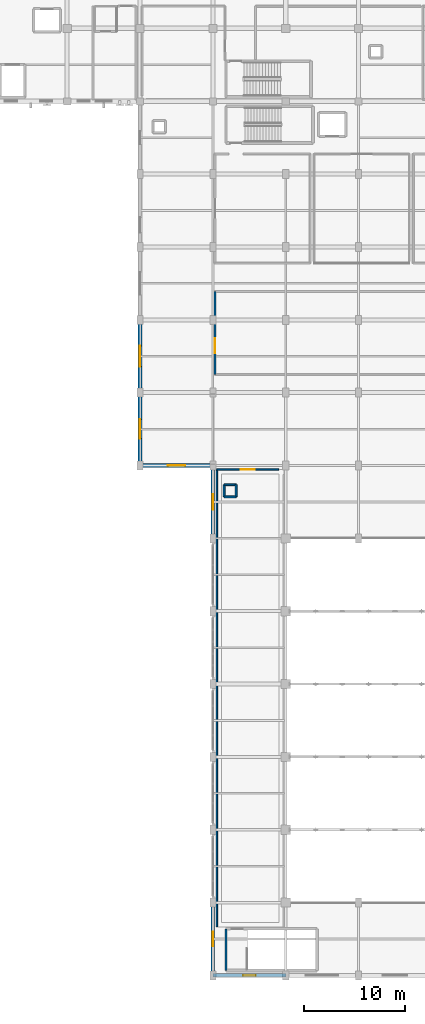
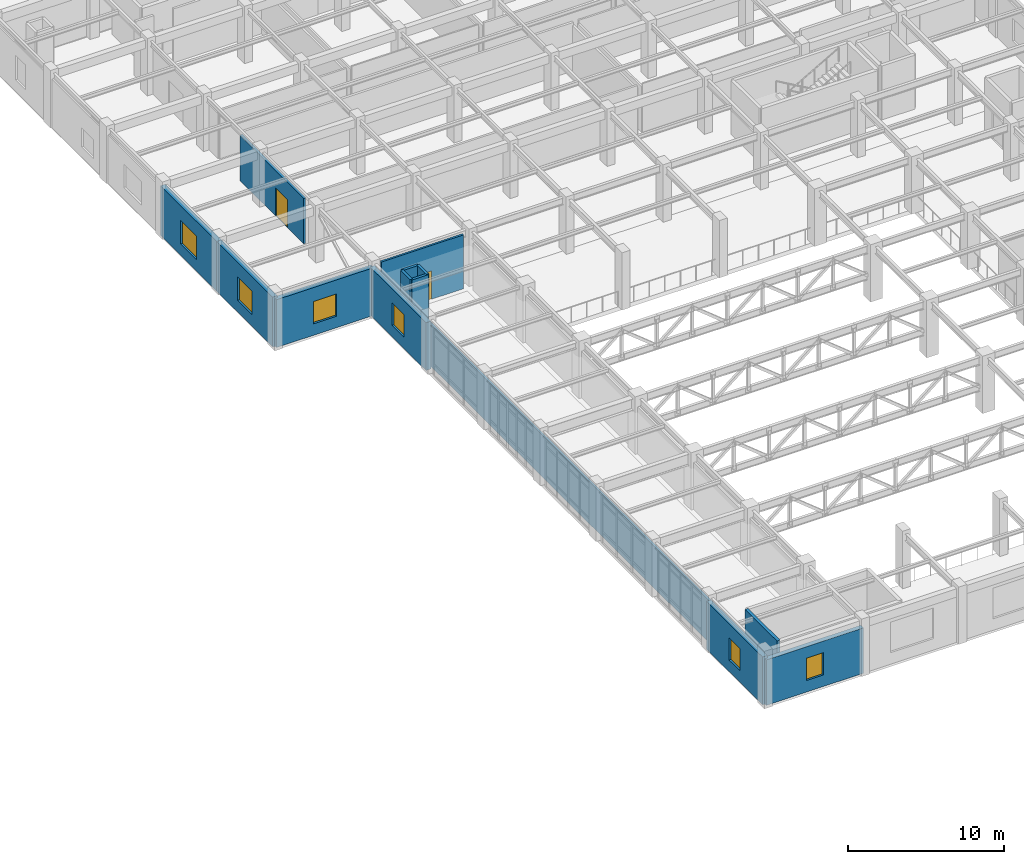
# One storey, part 75 of 106: 14 walls, 6 windows, 2 doors, 8 openings.
"""IFC4 building model written with IfcOpenShell, lengths in metres."""

from ifc_helpers import new_model, si_unit, direction, frame, frame_2d, origin, place, context, subcontext, project, spatial, rectangle, extrude, material, layer, layer_set, type_object, element, fill, save


model = new_model("IFC4")

# Units and contexts
model_context = context("Model", 3, precision=1e-05, world=origin(), true_north=direction((0.0, 1.0)))
body_context = subcontext(model_context, "Body", "Model", "MODEL_VIEW")
ifc_project = project(units=[si_unit("LENGTHUNIT", "METRE"), si_unit("AREAUNIT", "SQUARE_METRE"), si_unit("VOLUMEUNIT", "CUBIC_METRE"), si_unit("PLANEANGLEUNIT", "RADIAN"), si_unit("MASSUNIT", "GRAM", prefix="KILO")], contexts=[model_context])

# Site, building, storey
site_placement = place(None, origin())
site = spatial("IfcSite", under=ifc_project, at=site_placement, CompositionType="ELEMENT")
building_placement = place(site_placement, origin())
building = spatial("IfcBuilding", under=site, at=building_placement, Name="Carrowvane Square Congress Hotel", CompositionType="ELEMENT")
storey_placement = place(building_placement, frame((0.0, 0.0, 10.5)))
storey = spatial("IfcBuildingStorey", under=building, at=storey_placement, Name="L02", CompositionType="ELEMENT", Elevation=10.5)

# Wall, opening, window
ifc_material_1 = material(Name="Portland limestone cladding", Category="masonry")
ifc_layer_1 = layer(ifc_material_1, 0.35009765625)
ifc_layer_set_1 = layer_set([ifc_layer_1], Name="Portland limestone cladding")
wall_type_1 = type_object("IfcWallType", Name="WL-EXT-LS350", PredefinedType="STANDARD", material=ifc_layer_set_1)
wall_1_placement = place(storey_placement, frame((141.199951171875, 5.39990234375, 0.0), z_axis=(0.0, 0.0, 1.0), x_axis=(-1.0, 0.0, 0.0)))
wall_1 = element("IfcWall", 1, at=wall_1_placement, inside=storey, type_object=wall_type_1, Name="L02 exterior facade wall 306", PredefinedType="STANDARD", context=body_context, shape_type="SweptSolid", body=[
    extrude(rectangle(XDim=7.199951171875, YDim=0.35009765625, at=frame_2d((3.60009765625, 0.0))), origin(), (0.0, 0.0, 1.0), 3.554931640625),
])
opening_1_placement = place(wall_1_placement, frame((2.97509765625, 0.0, 0.89990234375)))
opening_1 = element("IfcOpeningElement", 2, at=opening_1_placement, cuts=wall_1, Name="Opening W-21", PredefinedType="OPENING", context=body_context, shape_type="SweptSolid", body=[
    extrude(rectangle(XDim=1.25, YDim=1.75, at=frame_2d((0.625, 0.875))), frame((0.0, 0.18505859375, 0.0), z_axis=(0.0, -1.0, 0.0), x_axis=(1.0, 0.0, 0.0)), (0.0, 0.0, 1.0), 0.3701171875),
])
ifc_material_2 = material(Name="Double-glazed low-E glass", Category="glass")
window_type_1 = type_object("IfcWindowType", Name="WIN-21", PartitioningType="SINGLE_PANEL", PredefinedType="WINDOW", material=ifc_material_2)
window_1_placement = place(opening_1_placement, origin())
window_1 = element("IfcWindow", 3, at=window_1_placement, inside=storey, type_object=window_type_1, Name="L02 facade window 123", OverallHeight=1.75, OverallWidth=1.25, PartitioningType="SINGLE_PANEL", PredefinedType="WINDOW", context=body_context, shape_type="SweptSolid", body=[
    extrude(rectangle(XDim=1.25, YDim=1.75, at=frame_2d((0.625, 0.875))), frame((0.0, 0.030029296875, 0.0), z_axis=(0.0, -1.0, 0.0), x_axis=(1.0, 0.0, 0.0)), (0.0, 0.0, 1.0), 0.06005859375),
])
fill(opening_1, window_1)

wall_2_placement = place(storey_placement, frame((134.0, 5.39990234375, 0.0), z_axis=(0.0, 0.0, 1.0), x_axis=(0.0, 1.0, 0.0)))
wall_2 = element("IfcWall", 4, at=wall_2_placement, inside=storey, type_object=wall_type_1, Name="L02 exterior facade wall 307", PredefinedType="STANDARD", context=body_context, shape_type="SweptSolid", body=[
    extrude(rectangle(XDim=7.2001953125, YDim=0.35009765625, at=frame_2d((3.60009765625, 0.0))), origin(), (0.0, 0.0, 1.0), 3.7451171875),
])
opening_2_placement = place(wall_2_placement, frame((2.89990234375, 0.0, 0.89990234375)))
opening_2 = element("IfcOpeningElement", 5, at=opening_2_placement, cuts=wall_2, Name="Opening W-22", PredefinedType="OPENING", context=body_context, shape_type="SweptSolid", body=[
    extrude(rectangle(XDim=1.39990234375, YDim=1.75, at=frame_2d((0.699951171875, 0.875))), frame((0.0, 0.18505859375, 0.0), z_axis=(0.0, -1.0, 0.0), x_axis=(1.0, 0.0, 0.0)), (0.0, 0.0, 1.0), 0.3701171875),
])
ifc_material_3 = material(Name="Double-glazed low-E glass", Category="glass")
window_type_2 = type_object("IfcWindowType", Name="WIN-22", PartitioningType="SINGLE_PANEL", PredefinedType="WINDOW", material=ifc_material_3)
window_2_placement = place(opening_2_placement, origin())
window_2 = element("IfcWindow", 6, at=window_2_placement, inside=storey, type_object=window_type_2, Name="L02 facade window 124", OverallHeight=1.75, OverallWidth=1.39990234375, PartitioningType="SINGLE_PANEL", PredefinedType="WINDOW", context=body_context, shape_type="SweptSolid", body=[
    extrude(rectangle(XDim=1.39990234375, YDim=1.75, at=frame_2d((0.699951171875, 0.875))), frame((0.0, 0.030029296875, 0.0), z_axis=(0.0, -1.0, 0.0), x_axis=(1.0, 0.0, 0.0)), (0.0, 0.0, 1.0), 0.06005859375),
])
fill(opening_2, window_2)

wall_3_placement = place(storey_placement, frame((134.0, 48.60009765625, 0.0), z_axis=(0.0, 0.0, 1.0), x_axis=(0.0, 1.0, 0.0)))
wall_3 = element("IfcWall", 7, at=wall_3_placement, inside=storey, type_object=wall_type_1, Name="L02 exterior facade wall 308", PredefinedType="STANDARD", context=body_context, shape_type="SweptSolid", body=[
    extrude(rectangle(XDim=7.199951171875, YDim=0.35009765625, at=frame_2d((3.60009765625, 0.0))), origin(), (0.0, 0.0, 1.0), 3.7451171875),
])
opening_3_placement = place(wall_3_placement, frame((2.824951171875, 0.0, 0.89990234375)))
opening_3 = element("IfcOpeningElement", 8, at=opening_3_placement, cuts=wall_3, Name="Opening W-23", PredefinedType="OPENING", context=body_context, shape_type="SweptSolid", body=[
    extrude(rectangle(XDim=1.550048828125, YDim=1.75, at=frame_2d((0.77490234375, 0.875))), frame((0.0, 0.18505859375, 0.0), z_axis=(0.0, -1.0, 0.0), x_axis=(1.0, 0.0, 0.0)), (0.0, 0.0, 1.0), 0.3701171875),
])
ifc_material_4 = material(Name="Double-glazed low-E glass", Category="glass")
window_type_3 = type_object("IfcWindowType", Name="WIN-23", PartitioningType="SINGLE_PANEL", PredefinedType="WINDOW", material=ifc_material_4)
window_3_placement = place(opening_3_placement, origin())
window_3 = element("IfcWindow", 9, at=window_3_placement, inside=storey, type_object=window_type_3, Name="L02 facade window 125", OverallHeight=1.75, OverallWidth=1.550048828125, PartitioningType="SINGLE_PANEL", PredefinedType="WINDOW", context=body_context, shape_type="SweptSolid", body=[
    extrude(rectangle(XDim=1.550048828125, YDim=1.75, at=frame_2d((0.77490234375, 0.875))), frame((0.0, 0.030029296875, 0.0), z_axis=(0.0, -1.0, 0.0), x_axis=(1.0, 0.0, 0.0)), (0.0, 0.0, 1.0), 0.06005859375),
])
fill(opening_3, window_3)

ifc_material_5 = material(Name="Glazed terracotta rainscreen", Category="masonry")
ifc_layer_2 = layer(ifc_material_5, 0.360107421875)
ifc_layer_set_2 = layer_set([ifc_layer_2], Name="Glazed terracotta rainscreen")
wall_type_2 = type_object("IfcWallType", Name="WL-EXT-TC360", PredefinedType="STANDARD", material=ifc_layer_set_2)
wall_4_placement = place(storey_placement, frame((134.0, 55.800048828125, 0.0), z_axis=(0.0, 0.0, 1.0), x_axis=(-1.0, 0.0, 0.0)))
wall_4 = element("IfcWall", 10, at=wall_4_placement, inside=storey, type_object=wall_type_2, Name="L02 exterior facade wall 309", PredefinedType="STANDARD", context=body_context, shape_type="SweptSolid", body=[
    extrude(rectangle(XDim=7.199951171875, YDim=0.360107421875, at=frame_2d((3.60009765625, 0.0))), origin(), (0.0, 0.0, 1.0), 3.7451171875),
])
opening_4_placement = place(wall_4_placement, frame((2.75, 0.0, 0.89990234375)))
opening_4 = element("IfcOpeningElement", 11, at=opening_4_placement, cuts=wall_4, Name="Opening W-24", PredefinedType="OPENING", context=body_context, shape_type="SweptSolid", body=[
    extrude(rectangle(XDim=1.699951171875, YDim=1.75, at=frame_2d((0.85009765625, 0.875))), frame((0.0, 0.18994140625, 0.0), z_axis=(0.0, -1.0, 0.0), x_axis=(1.0, 0.0, 0.0)), (0.0, 0.0, 1.0), 0.380126953125),
])
ifc_material_6 = material(Name="Double-glazed low-E glass", Category="glass")
window_type_4 = type_object("IfcWindowType", Name="WIN-24", PartitioningType="SINGLE_PANEL", PredefinedType="WINDOW", material=ifc_material_6)
window_4_placement = place(opening_4_placement, origin())
window_4 = element("IfcWindow", 12, at=window_4_placement, inside=storey, type_object=window_type_4, Name="L02 facade window 126", OverallHeight=1.75, OverallWidth=1.699951171875, PartitioningType="SINGLE_PANEL", PredefinedType="WINDOW", context=body_context, shape_type="SweptSolid", body=[
    extrude(rectangle(XDim=1.699951171875, YDim=1.75, at=frame_2d((0.85009765625, 0.875))), frame((0.0, 0.030029296875, 0.0), z_axis=(0.0, -1.0, 0.0), x_axis=(1.0, 0.0, 0.0)), (0.0, 0.0, 1.0), 0.06005859375),
])
fill(opening_4, window_4)

wall_5_placement = place(storey_placement, frame((126.800048828125, 55.800048828125, 0.0), z_axis=(0.0, 0.0, 1.0), x_axis=(0.0, 1.0, 0.0)))
wall_5 = element("IfcWall", 13, at=wall_5_placement, inside=storey, type_object=wall_type_2, Name="L02 exterior facade wall 310", PredefinedType="STANDARD", context=body_context, shape_type="SweptSolid", body=[
    extrude(rectangle(XDim=7.199951171875, YDim=0.360107421875, at=frame_2d((3.60009765625, 0.0))), origin(), (0.0, 0.0, 1.0), 3.8984375),
])
opening_5_placement = place(wall_5_placement, frame((2.64990234375, 0.0, 0.89990234375)))
opening_5 = element("IfcOpeningElement", 14, at=opening_5_placement, cuts=wall_5, Name="Opening W-25", PredefinedType="OPENING", context=body_context, shape_type="SweptSolid", body=[
    extrude(rectangle(XDim=1.89990234375, YDim=1.85009765625, at=frame_2d((0.949951171875, 0.925048828125))), frame((0.0, 0.18994140625, 0.0), z_axis=(0.0, -1.0, 0.0), x_axis=(1.0, 0.0, 0.0)), (0.0, 0.0, 1.0), 0.380126953125),
])
ifc_material_7 = material(Name="Double-glazed low-E glass", Category="glass")
window_type_5 = type_object("IfcWindowType", Name="WIN-25", PartitioningType="SINGLE_PANEL", PredefinedType="WINDOW", material=ifc_material_7)
window_5_placement = place(opening_5_placement, origin())
window_5 = element("IfcWindow", 15, at=window_5_placement, inside=storey, type_object=window_type_5, Name="L02 facade window 127", OverallHeight=1.85009765625, OverallWidth=1.89990234375, PartitioningType="SINGLE_PANEL", PredefinedType="WINDOW", context=body_context, shape_type="SweptSolid", body=[
    extrude(rectangle(XDim=1.89990234375, YDim=1.85009765625, at=frame_2d((0.949951171875, 0.925048828125))), frame((0.0, 0.030029296875, 0.0), z_axis=(0.0, -1.0, 0.0), x_axis=(1.0, 0.0, 0.0)), (0.0, 0.0, 1.0), 0.06005859375),
])
fill(opening_5, window_5)

wall_6_placement = place(storey_placement, frame((126.800048828125, 63.0, 0.0), z_axis=(0.0, 0.0, 1.0), x_axis=(0.0, 1.0, 0.0)))
wall_6 = element("IfcWall", 16, at=wall_6_placement, inside=storey, type_object=wall_type_2, Name="L02 exterior facade wall 311", PredefinedType="STANDARD", context=body_context, shape_type="SweptSolid", body=[
    extrude(rectangle(XDim=7.199951171875, YDim=0.360107421875, at=frame_2d((3.60009765625, 0.0))), origin(), (0.0, 0.0, 1.0), 3.8984375),
])
opening_6_placement = place(wall_6_placement, frame((2.574951171875, 0.0, 0.89990234375)))
opening_6 = element("IfcOpeningElement", 17, at=opening_6_placement, cuts=wall_6, Name="Opening W-26", PredefinedType="OPENING", context=body_context, shape_type="SweptSolid", body=[
    extrude(rectangle(XDim=2.050048828125, YDim=1.85009765625, at=frame_2d((1.02490234375, 0.925048828125))), frame((0.0, 0.18994140625, 0.0), z_axis=(0.0, -1.0, 0.0), x_axis=(1.0, 0.0, 0.0)), (0.0, 0.0, 1.0), 0.380126953125),
])
ifc_material_8 = material(Name="Double-glazed low-E glass", Category="glass")
window_type_6 = type_object("IfcWindowType", Name="WIN-26", PartitioningType="SINGLE_PANEL", PredefinedType="WINDOW", material=ifc_material_8)
window_6_placement = place(opening_6_placement, origin())
window_6 = element("IfcWindow", 18, at=window_6_placement, inside=storey, type_object=window_type_6, Name="L02 facade window 128", OverallHeight=1.85009765625, OverallWidth=2.050048828125, PartitioningType="SINGLE_PANEL", PredefinedType="WINDOW", context=body_context, shape_type="SweptSolid", body=[
    extrude(rectangle(XDim=2.050048828125, YDim=1.85009765625, at=frame_2d((1.02490234375, 0.925048828125))), frame((0.0, 0.030029296875, 0.0), z_axis=(0.0, -1.0, 0.0), x_axis=(1.0, 0.0, 0.0)), (0.0, 0.0, 1.0), 0.06005859375),
])
fill(opening_6, window_6)

# Wall
ifc_material_9 = material(Name="Acoustic gypsum board", Category="gypsum")
ifc_layer_3 = layer(ifc_material_9, 0.155029296875)
ifc_layer_set_3 = layer_set([ifc_layer_3], Name="Acoustic gypsum board")
wall_type_3 = type_object("IfcWallType", Name="WL-FIR-155", PredefinedType="PARTITIONING", material=ifc_layer_set_3)
wall_7_placement = place(storey_placement, frame((134.39990234375, 10.199951171875, 0.0), z_axis=(0.0, 0.0, 1.0), x_axis=(0.0, 1.0, 0.0)))
element("IfcWall", 19, at=wall_7_placement, inside=storey, type_object=wall_type_3, Name="L02 Ballroom Upper Mezzanine Gallery partition", PredefinedType="PARTITIONING", context=body_context, shape_type="SweptSolid", body=[
    extrude(rectangle(XDim=45.199951171875, YDim=0.155029296875, at=frame_2d((22.60009765625, 0.0))), origin(), (0.0, 0.0, 1.0), 3.293212890625),
])

# Wall, opening, door
ifc_material_10 = material(Name="Acoustic gypsum board", Category="gypsum")
ifc_layer_4 = layer(ifc_material_10, 0.18505859375)
ifc_layer_set_4 = layer_set([ifc_layer_4], Name="Acoustic gypsum board")
wall_type_4 = type_object("IfcWallType", Name="WL-FIR-185", PredefinedType="PARTITIONING", material=ifc_layer_set_4)
wall_8_placement = place(storey_placement, frame((134.199951171875, 64.800048828125, 0.0), z_axis=(0.0, 0.0, 1.0), x_axis=(0.0, 1.0, 0.0)))
wall_8 = element("IfcWall", 20, at=wall_8_placement, inside=storey, type_object=wall_type_4, Name="L02 Sub-Plenary Lecture Hall A partition", PredefinedType="PARTITIONING", context=body_context, shape_type="SweptSolid", body=[
    extrude(rectangle(XDim=8.199951171875, YDim=0.18505859375, at=frame_2d((4.10009765625, 0.0))), origin(), (0.0, 0.0, 1.0), 3.554931640625),
])
opening_7_placement = place(wall_8_placement, frame((2.10009765625, 0.0, 0.0)))
opening_7 = element("IfcOpeningElement", 21, at=opening_7_placement, cuts=wall_8, Name="Opening ID-11", PredefinedType="OPENING", context=body_context, shape_type="SweptSolid", body=[
    extrude(rectangle(XDim=1.5, YDim=2.199951171875, at=frame_2d((0.75, 1.10009765625))), frame((0.0, 0.1025390625, 0.0), z_axis=(0.0, -1.0, 0.0), x_axis=(1.0, 0.0, 0.0)), (0.0, 0.0, 1.0), 0.205078125),
])
ifc_material_11 = material(Name="European oak timber", Category="wood")
door_type_1 = type_object("IfcDoorType", Name="DR-INT-1500x2200", OperationType="DOUBLE_DOOR_SINGLE_SWING", PredefinedType="DOOR", material=ifc_material_11)
door_1_placement = place(opening_7_placement, origin())
door_1 = element("IfcDoor", 22, at=door_1_placement, inside=storey, type_object=door_type_1, Name="L02 Sub-Plenary Lecture Hall A entrance door", OperationType="DOUBLE_DOOR_SINGLE_SWING", OverallHeight=2.199951171875, OverallWidth=1.5, PredefinedType="DOOR", context=body_context, shape_type="SweptSolid", body=[
    extrude(rectangle(XDim=1.5, YDim=2.199951171875, at=frame_2d((0.75, 1.10009765625))), frame((0.0, 0.02490234375, 0.0), z_axis=(0.0, -1.0, 0.0), x_axis=(1.0, 0.0, 0.0)), (0.0, 0.0, 1.0), 0.050048828125),
])
fill(opening_7, door_1)

# Walls
ifc_material_12 = material(Name="Standing-seam zinc cladding", Category="metal")
ifc_layer_5 = layer(ifc_material_12, 0.195068359375)
ifc_layer_set_5 = layer_set([ifc_layer_5], Name="Standing-seam zinc cladding")
wall_type_5 = type_object("IfcWallType", Name="WL-PAR-195", PredefinedType="PARAPET", material=ifc_layer_set_5)
for number, where, z_axis, x_axis, name in (
    (23, (135.10009765625, 52.699951171875, 0.0), (0.0, 0.0, 1.0), (1.0, 0.0, 0.0), "L02 service riser RSR-V2 enclosure S"),
    (24, (136.300048828125, 52.699951171875, 0.0), (0.0, 0.0, 1.0), (0.0, 1.0, 0.0), "L02 service riser RSR-V2 enclosure E"),
    (25, (136.300048828125, 53.89990234375, 0.0), (0.0, 0.0, 1.0), (-1.0, 0.0, 0.0), "L02 service riser RSR-V2 enclosure N"),
    (26, (135.10009765625, 53.89990234375, 0.0), (0.0, 0.0, 1.0), (0.0, -1.0, 0.0), "L02 service riser RSR-V2 enclosure W"),
):
    element("IfcWall", number, at=place(storey_placement, frame(where, z_axis=z_axis, x_axis=x_axis)), inside=storey, type_object=wall_type_5, Name=name, PredefinedType="PARAPET", context=body_context, shape_type="SweptSolid", body=[
        extrude(rectangle(XDim=1.199951171875, YDim=0.195068359375, at=frame_2d((0.60009765625, 0.0))), origin(), (0.0, 0.0, 1.0), 4.219970703125),
    ])

# Wall, opening, door
ifc_material_13 = material(Name="Acoustic gypsum board", Category="gypsum")
ifc_layer_6 = layer(ifc_material_13, 0.14794921875)
ifc_layer_set_6 = layer_set([ifc_layer_6], Name="Acoustic gypsum board")
wall_type_6 = type_object("IfcWallType", Name="WL-PRT-148", PredefinedType="PARTITIONING", material=ifc_layer_set_6)
wall_9_placement = place(storey_placement, frame((134.39990234375, 55.39990234375, 0.0), z_axis=(0.0, 0.0, 1.0), x_axis=(1.0, 0.0, 0.0)))
wall_9 = element("IfcWall", 27, at=wall_9_placement, inside=storey, type_object=wall_type_6, Name="L02 Ballroom Upper Mezzanine Gallery partition", PredefinedType="PARTITIONING", context=body_context, shape_type="SweptSolid", body=[
    extrude(rectangle(XDim=6.090087890625, YDim=0.14794921875, at=frame_2d((3.044921875, 0.0))), origin(), (0.0, 0.0, 1.0), 4.219970703125),
])
opening_8_placement = place(wall_9_placement, frame((2.364990234375, 0.0, 0.0)))
opening_8 = element("IfcOpeningElement", 28, at=opening_8_placement, cuts=wall_9, Name="Opening ID-25", PredefinedType="OPENING", context=body_context, shape_type="SweptSolid", body=[
    extrude(rectangle(XDim=1.360107421875, YDim=2.219970703125, at=frame_2d((0.68017578125, 1.10986328125))), frame((0.0, 0.083984375, 0.0), z_axis=(0.0, -1.0, 0.0), x_axis=(1.0, 0.0, 0.0)), (0.0, 0.0, 1.0), 0.16796875),
])
ifc_material_14 = material(Name="European oak timber", Category="wood")
door_type_2 = type_object("IfcDoorType", Name="DR-INT-1360x2220", OperationType="DOUBLE_DOOR_SINGLE_SWING", PredefinedType="DOOR", material=ifc_material_14)
door_2_placement = place(opening_8_placement, origin())
door_2 = element("IfcDoor", 29, at=door_2_placement, inside=storey, type_object=door_type_2, Name="L02 Ballroom Upper Mezzanine Gallery entrance door", OperationType="DOUBLE_DOOR_SINGLE_SWING", OverallHeight=2.219970703125, OverallWidth=1.360107421875, PredefinedType="DOOR", context=body_context, shape_type="SweptSolid", body=[
    extrude(rectangle(XDim=1.360107421875, YDim=2.219970703125, at=frame_2d((0.68017578125, 1.10986328125))), frame((0.0, 0.02490234375, 0.0), z_axis=(0.0, -1.0, 0.0), x_axis=(1.0, 0.0, 0.0)), (0.0, 0.0, 1.0), 0.050048828125),
])
fill(opening_8, door_2)

# Wall
ifc_material_15 = material(Name="Concrete C40/50", Category="concrete")
ifc_layer_7 = layer(ifc_material_15, 0.22509765625)
ifc_layer_set_7 = layer_set([ifc_layer_7], Name="Concrete C40/50")
wall_type_7 = type_object("IfcWallType", Name="WL-SHR-225", PredefinedType="SHEAR", material=ifc_layer_set_7)
wall_10_placement = place(storey_placement, frame((135.300048828125, 10.0, 0.0), z_axis=(0.0, 0.0, 1.0), x_axis=(0.0, -1.0, 0.0)))
element("IfcWall", 30, at=wall_10_placement, inside=storey, type_object=wall_type_7, Name="L02 ST10 core wall west", PredefinedType="SHEAR", context=body_context, shape_type="SweptSolid", body=[
    extrude(rectangle(XDim=4.10009765625, YDim=0.22509765625, at=frame_2d((2.050048828125, 0.0))), origin(), (0.0, 0.0, 1.0), 4.219970703125),
])

save(model, "model.ifc")
